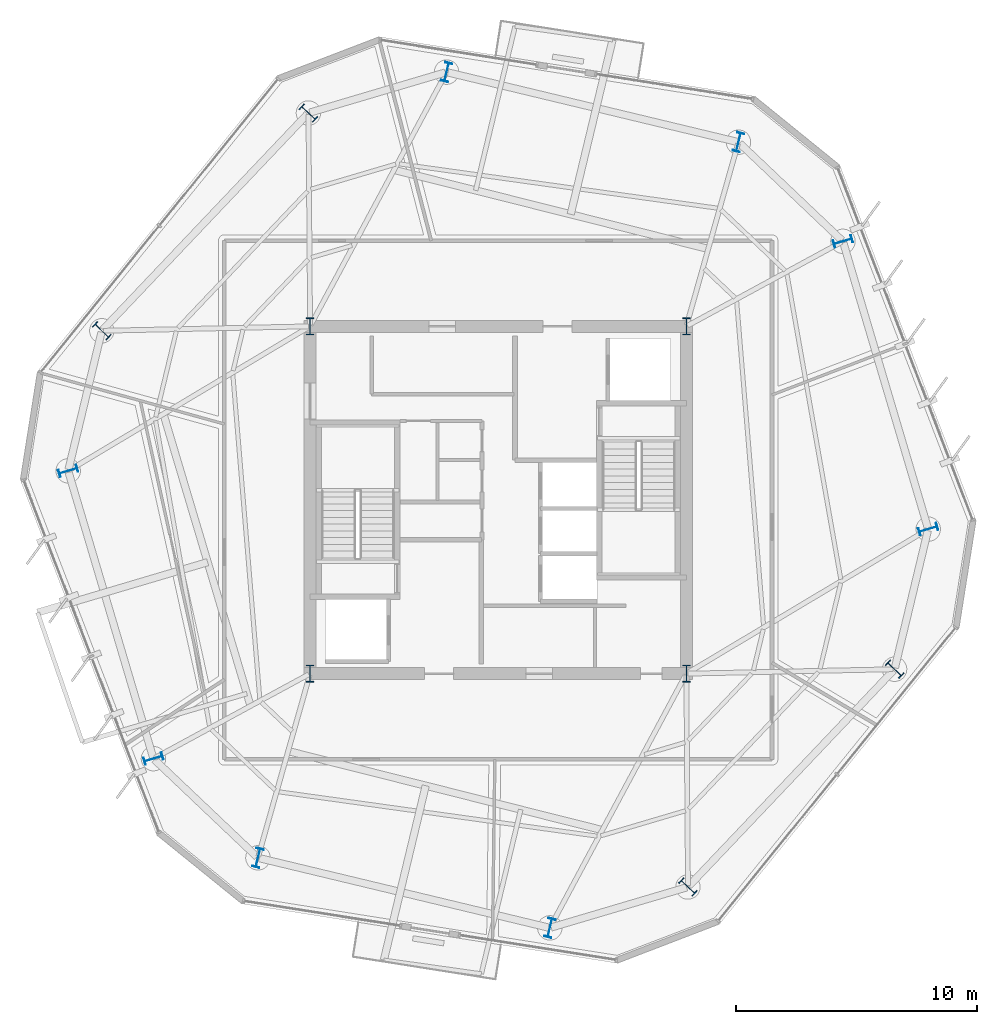
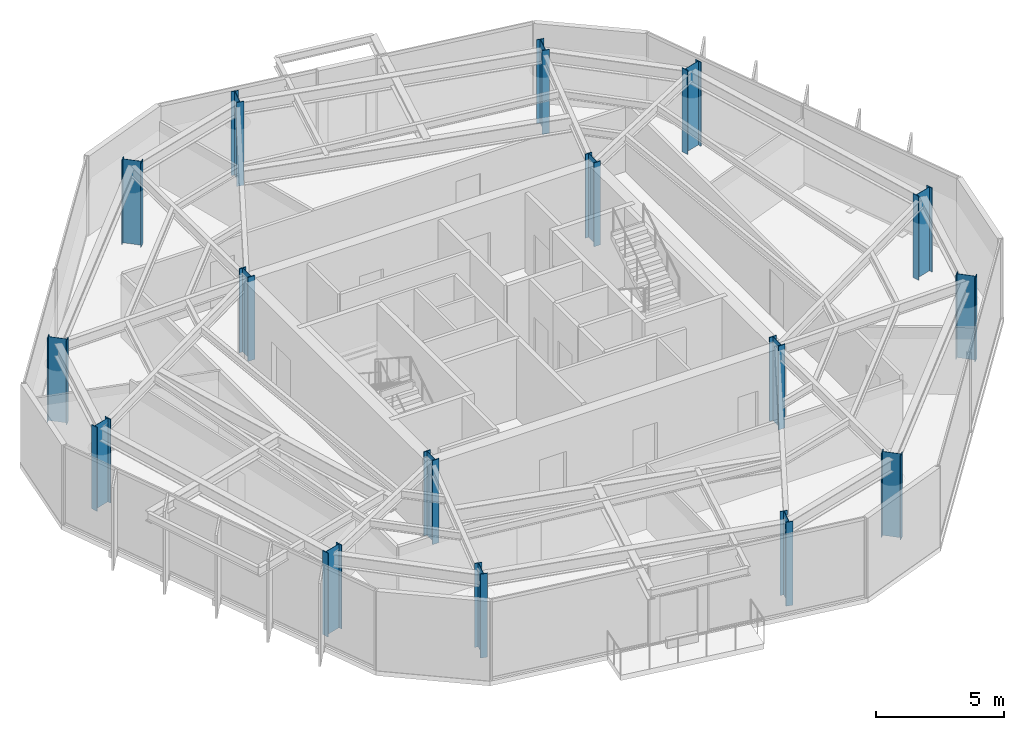
# One storey, part 1 of 11: 16 columns.
"""IFC4 building model written with IfcOpenShell, lengths in metres."""

from ifc_helpers import new_model, si_unit, direction, frame, origin, origin_2d, place, context, subcontext, project, spatial, i_section, extrude, material, material_profile, profile_set, type_object, element, save


model = new_model("IFC4")

# Units and contexts
model_context = context("Model", 3, precision=1e-05, world=origin(), true_north=direction((0.0, 1.0)))
body_context = subcontext(model_context, "Body", "Model", "MODEL_VIEW")
ifc_project = project(units=[si_unit("LENGTHUNIT", "METRE"), si_unit("AREAUNIT", "SQUARE_METRE"), si_unit("VOLUMEUNIT", "CUBIC_METRE"), si_unit("PLANEANGLEUNIT", "RADIAN"), si_unit("MASSUNIT", "GRAM", prefix="KILO")], contexts=[model_context])

# Site, building, storey
site_placement = place(None, origin())
site = spatial("IfcSite", under=ifc_project, at=site_placement, CompositionType="ELEMENT")
building_placement = place(site_placement, origin())
building = spatial("IfcBuilding", under=site, at=building_placement, Name="Kranzbogen Civic Tower", CompositionType="ELEMENT")
storey_placement = place(building_placement, frame((0.0, 0.0, 228.800048828125)))
storey = spatial("IfcBuildingStorey", under=building, at=storey_placement, Name="L55", CompositionType="ELEMENT", Elevation=228.800048828125)

# Columns
ifc_material_1 = material(Name="Steel S355", Category="steel")
ifc_material_profile_1 = material_profile(ifc_material_1, i_section(OverallWidth=0.300048828125, OverallDepth=0.800048828125, WebThickness=0.017578125, FlangeThickness=0.032958984375, at=origin_2d()), Name="HEB 800")
ifc_profile_set_1 = profile_set([ifc_material_profile_1], Name="Steel S355")
column_type_1 = type_object("IfcColumnType", Name="Structural Column HEB 800", PredefinedType="COLUMN", material=ifc_profile_set_1)
for number, where, z_axis, x_axis, name in (
    (1, (34.9609375, 39.8349609375, 0.0), (0.0, 0.0, 1.0), (-0.972369920398, 0.233445363856, 0.0), "L55 tower perimeter tube column 01"),
    (2, (22.860107421875, 42.739990234375, 0.0), (0.0, 0.0, 1.0), (-0.972369920398, 0.233445363856, 0.0), "L55 tower perimeter tube column 02"),
    (3, (17.133056640625, 41.0439453125, 0.0), (0.0, 0.0, 1.0), (0.688354575694, 0.725374371012, 0.0), "L55 tower perimeter tube column 03"),
    (4, (8.56689453125, 32.01611328125, 0.0), (0.0, 0.0, 1.0), (0.688354575694, 0.725374371012, 0.0), "L55 tower perimeter tube column 04"),
    (5, (7.172119140625, 26.208984375, 0.0), (0.0, 0.0, 1.0), (-0.284015344704, 0.958819734868, 0.0), "L55 tower perimeter tube column 05"),
    (6, (10.70703125, 14.27587890625, 0.0), (0.0, 0.0, 1.0), (-0.284015344704, 0.958819734868, 0.0), "L55 tower perimeter tube column 06"),
    (7, (15.0390625, 10.1650390625, 0.0), (0.0, 0.0, 1.0), (-0.972369920398, 0.233445363856, 0.0), "L55 tower perimeter tube column 07"),
    (8, (27.139892578125, 7.260009765625, 0.0), (0.0, 0.0, 1.0), (-0.972369920398, 0.233445363856, 0.0), "L55 tower perimeter tube column 08"),
    (9, (32.866943359375, 8.9560546875, 0.0), (0.0, 0.0, 1.0), (0.688354575694, 0.725374371012, 0.0), "L55 tower perimeter tube column 09"),
    (10, (41.43310546875, 17.98388671875, 0.0), (0.0, 0.0, 1.0), (0.688354575694, 0.725374371012, 0.0), "L55 tower perimeter tube column 10"),
    (11, (42.827880859375, 23.791015625, 0.0), (0.0, 0.0, 1.0), (-0.284015344704, 0.958819734868, 0.0), "L55 tower perimeter tube column 11"),
    (12, (39.29296875, 35.72412109375, 0.0), (0.0, 0.0, 1.0), (-0.284015344704, 0.958819734868, 0.0), "L55 tower perimeter tube column 12"),
):
    element("IfcColumn", number, at=place(storey_placement, frame(where, z_axis=z_axis, x_axis=x_axis)), inside=storey, type_object=column_type_1, Name=name, PredefinedType="COLUMN", context=body_context, shape_type="SweptSolid", body=[
        extrude(i_section(OverallWidth=0.300048828125, OverallDepth=0.800048828125, WebThickness=0.017578125, FlangeThickness=0.032958984375, at=origin_2d()), origin(), (0.0, 0.0, 1.0), 4.0),
    ])
ifc_material_2 = material(Name="Steel S460", Category="steel")
ifc_material_profile_2 = material_profile(ifc_material_2, i_section(OverallWidth=0.303955078125, OverallDepth=0.716064453125, WebThickness=0.02099609375, FlangeThickness=0.0400390625, at=origin_2d()), Name="HEM 700")
ifc_profile_set_2 = profile_set([ifc_material_profile_2], Name="Steel S460")
column_type_2 = type_object("IfcColumnType", Name="Structural Column HEM 700", PredefinedType="COLUMN", material=ifc_profile_set_2)
for number, where, z_axis, x_axis, name in (
    (13, (17.199951171875, 17.800048828125, 0.0), (0.0, 0.0, 1.0), (1.0, 0.0, 0.0), "L55 composite core corner column 1"),
    (14, (32.800048828125, 17.800048828125, 0.0), (0.0, 0.0, 1.0), (1.0, 0.0, 0.0), "L55 composite core corner column 2"),
    (15, (32.800048828125, 32.199951171875, 0.0), (0.0, 0.0, 1.0), (1.0, 0.0, 0.0), "L55 composite core corner column 3"),
    (16, (17.199951171875, 32.199951171875, 0.0), (0.0, 0.0, 1.0), (1.0, 0.0, 0.0), "L55 composite core corner column 4"),
):
    element("IfcColumn", number, at=place(storey_placement, frame(where, z_axis=z_axis, x_axis=x_axis)), inside=storey, type_object=column_type_2, Name=name, PredefinedType="COLUMN", context=body_context, shape_type="SweptSolid", body=[
        extrude(i_section(OverallWidth=0.303955078125, OverallDepth=0.716064453125, WebThickness=0.02099609375, FlangeThickness=0.0400390625, at=origin_2d()), origin(), (0.0, 0.0, 1.0), 4.0),
    ])

save(model, "model.ifc")
